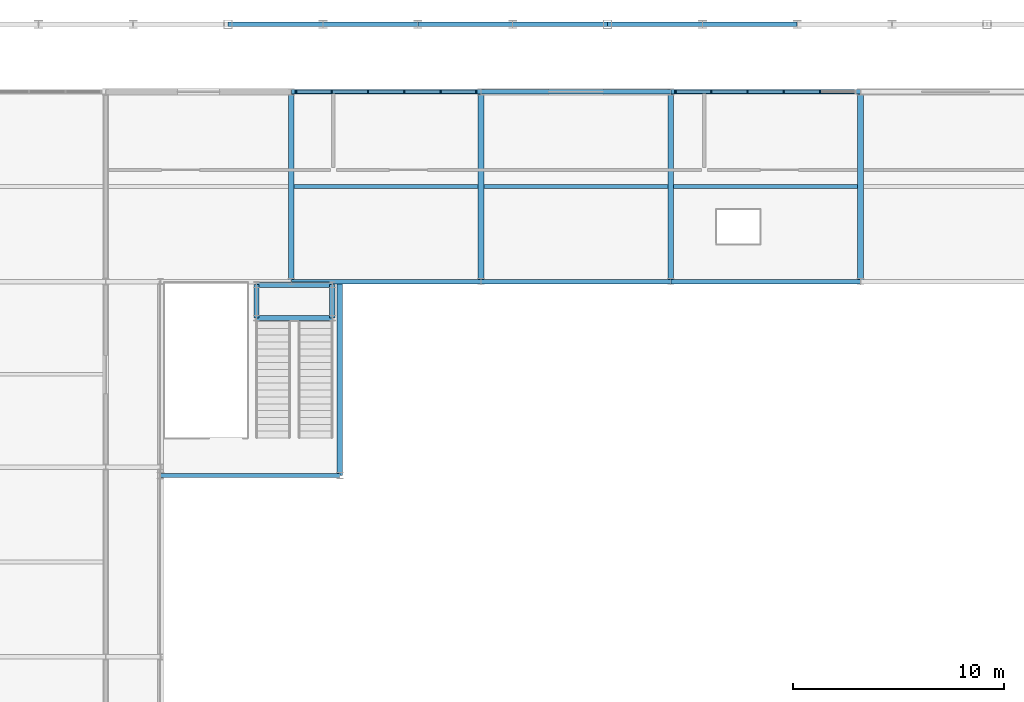
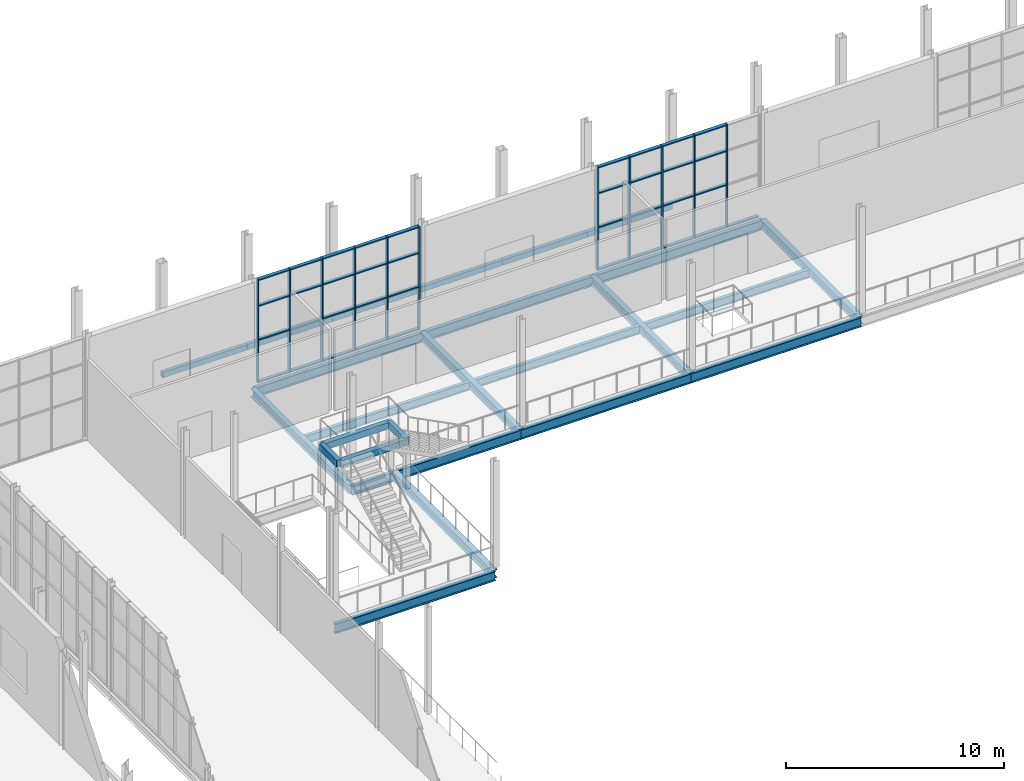
# One storey, part 62 of 159: 48 members, 25 beams, 2 elements without a shape of their own.
"""IFC4 building model written with IfcOpenShell, lengths in metres."""

from ifc_helpers import new_model, si_unit, direction, frame, origin, origin_2d, place, context, subcontext, project, spatial, rectangle, hollow_rectangle, i_section, extrude, material, layer, layer_set, material_profile, profile_set, type_object, element, aggregate, save


model = new_model("IFC4")

# Units and contexts
model_context = context("Model", 3, precision=1e-05, world=origin(), true_north=direction((0.0, 1.0)))
body_context = subcontext(model_context, "Body", "Model", "MODEL_VIEW")
ifc_project = project(units=[si_unit("LENGTHUNIT", "METRE"), si_unit("AREAUNIT", "SQUARE_METRE"), si_unit("VOLUMEUNIT", "CUBIC_METRE"), si_unit("PLANEANGLEUNIT", "RADIAN"), si_unit("MASSUNIT", "GRAM", prefix="KILO")], contexts=[model_context])

# Site, building, storey
site_placement = place(None, origin())
site = spatial("IfcSite", under=ifc_project, at=site_placement, CompositionType="ELEMENT")
building_placement = place(site_placement, origin())
building = spatial("IfcBuilding", under=site, at=building_placement, Name="Cazmaro Siding Exhibition Halls", CompositionType="ELEMENT")
storey_placement = place(building_placement, frame((0.0, 0.0, 6.0)))
storey = spatial("IfcBuildingStorey", under=building, at=storey_placement, Name="L01", CompositionType="ELEMENT", Elevation=6.0)

# Beams
ifc_material_1 = material(Name="Steel ASTM A992 Grade 50", Category="steel")
ifc_material_profile_1 = material_profile(ifc_material_1, i_section(OverallWidth=0.2099609375, OverallDepth=0.535888671875, WebThickness=0.010986328125, FlangeThickness=0.01708984375, at=origin_2d()), Name="W21X68")
ifc_profile_set_1 = profile_set([ifc_material_profile_1], Name="Steel ASTM A992 Grade 50")
beam_type_1 = type_object("IfcBeamType", Name="B-02", PredefinedType="BEAM", material=ifc_profile_set_1)
for number, where, z_axis, x_axis, name in (
    (1, (66.0, 111.800048828125, -0.488037109375), (1.0, 0.0, 0.0), (0.0, 1.0, 0.0), "Beam B-02 BM-0267"),
    (2, (66.0, 120.800048828125, -0.488037109375), (1.0, 0.0, 0.0), (0.0, 1.0, 0.0), "Beam B-02 BM-0268"),
    (3, (75.0, 111.800048828125, -0.488037109375), (1.0, 0.0, 0.0), (0.0, 1.0, 0.0), "Beam B-02 BM-0270"),
    (4, (75.0, 120.800048828125, -0.488037109375), (1.0, 0.0, 0.0), (0.0, 1.0, 0.0), "Beam B-02 BM-0271"),
    (5, (84.0, 111.800048828125, -0.488037109375), (1.0, 0.0, 0.0), (0.0, 1.0, 0.0), "Beam B-02 BM-0273"),
    (6, (84.0, 120.800048828125, -0.488037109375), (1.0, 0.0, 0.0), (0.0, 1.0, 0.0), "Beam B-02 BM-0274"),
):
    element("IfcBeam", number, at=place(storey_placement, frame(where, z_axis=z_axis, x_axis=x_axis)), inside=storey, type_object=beam_type_1, Name=name, PredefinedType="BEAM", context=body_context, shape_type="SweptSolid", body=[
        extrude(i_section(OverallWidth=0.2099609375, OverallDepth=0.535888671875, WebThickness=0.010986328125, FlangeThickness=0.01708984375, at=origin_2d()), origin(), (0.0, 0.0, 1.0), 9.0),
    ])
beam_1_placement = place(storey_placement, frame((59.800048828125, 102.60009765625, -0.488037109375), z_axis=(1.0, 0.0, 0.0), x_axis=(0.0, 1.0, 0.0)))
element("IfcBeam", 7, at=beam_1_placement, inside=storey, type_object=beam_type_1, Name="Beam B-02 BM-2506", PredefinedType="BEAM", context=body_context, shape_type="SweptSolid", body=[
    extrude(i_section(OverallWidth=0.2099609375, OverallDepth=0.535888671875, WebThickness=0.010986328125, FlangeThickness=0.01708984375, at=origin_2d()), origin(), (0.0, 0.0, 1.0), 8.5),
])
ifc_material_2 = material(Name="Steel ASTM A992 Grade 50", Category="steel")
ifc_material_profile_2 = material_profile(ifc_material_2, i_section(OverallWidth=0.279052734375, OverallDepth=0.4619140625, WebThickness=0.010986328125, FlangeThickness=0.01708984375, at=origin_2d()), Name="W18X76")
ifc_profile_set_2 = profile_set([ifc_material_profile_2], Name="Steel ASTM A992 Grade 50")
beam_type_2 = type_object("IfcBeamType", Name="B-03", PredefinedType="BEAM", material=ifc_profile_set_2)
for number, where, z_axis, x_axis, name in (
    (8, (66.0, 111.800048828125, -0.450927734375), (0.0, 1.0, 0.0), (-1.0, 0.0, 0.0), "Beam B-03 BM-0302"),
    (9, (75.0, 111.800048828125, -0.450927734375), (0.0, 1.0, 0.0), (-1.0, 0.0, 0.0), "Beam B-03 BM-0303"),
    (10, (84.0, 111.800048828125, -0.450927734375), (0.0, 1.0, 0.0), (-1.0, 0.0, 0.0), "Beam B-03 BM-0304"),
    (11, (93.0, 111.800048828125, -0.450927734375), (0.0, 1.0, 0.0), (-1.0, 0.0, 0.0), "Beam B-03 BM-0305"),
):
    element("IfcBeam", number, at=place(storey_placement, frame(where, z_axis=z_axis, x_axis=x_axis)), inside=storey, type_object=beam_type_2, Name=name, PredefinedType="BEAM", context=body_context, shape_type="SweptSolid", body=[
        extrude(i_section(OverallWidth=0.279052734375, OverallDepth=0.4619140625, WebThickness=0.010986328125, FlangeThickness=0.01708984375, at=origin_2d()), origin(), (0.0, 0.0, 1.0), 9.0),
    ])
beam_2_placement = place(storey_placement, frame((68.300048828125, 102.60009765625, -0.450927734375), z_axis=(0.0, 1.0, 0.0), x_axis=(-1.0, 0.0, 0.0)))
element("IfcBeam", 12, at=beam_2_placement, inside=storey, type_object=beam_type_2, Name="Beam B-03 BM-2508", PredefinedType="BEAM", context=body_context, shape_type="SweptSolid", body=[
    extrude(i_section(OverallWidth=0.279052734375, OverallDepth=0.4619140625, WebThickness=0.010986328125, FlangeThickness=0.01708984375, at=origin_2d()), origin(), (0.0, 0.0, 1.0), 9.199951171875),
])
ifc_material_3 = material(Name="Steel ASTM A500 Grade C", Category="steel")
ifc_material_profile_3 = material_profile(ifc_material_3, hollow_rectangle(XDim=0.25390625, YDim=0.35595703125, WallThickness=0.014892578125, at=origin_2d()), Name="HSS14X10X5/8")
ifc_profile_set_3 = profile_set([ifc_material_profile_3], Name="Steel ASTM A500 Grade C")
beam_type_3 = type_object("IfcBeamType", Name="B-06", PredefinedType="BEAM", material=ifc_profile_set_3)
for number, where, z_axis, x_axis, name in (
    (13, (64.35009765625, 110.070068359375, 2.6220703125), (1.0, 0.0, 0.0), (0.0, 1.0, 0.0), "Beam B-06 BM-2478"),
    (14, (64.35009765625, 111.64990234375, 2.6220703125), (1.0, 0.0, 0.0), (0.0, 1.0, 0.0), "Beam B-06 BM-2479"),
):
    element("IfcBeam", number, at=place(storey_placement, frame(where, z_axis=z_axis, x_axis=x_axis)), inside=storey, type_object=beam_type_3, Name=name, PredefinedType="BEAM", context=body_context, shape_type="SweptSolid", body=[
        extrude(hollow_rectangle(XDim=0.25390625, YDim=0.35595703125, WallThickness=0.014892578125, at=origin_2d()), origin(), (0.0, 0.0, 1.0), 3.599853515625),
    ])
for number, where, z_axis, x_axis, name in (
    (15, (64.35009765625, 110.070068359375, 2.6220703125), (0.0, 1.0, 0.0), (-1.0, 0.0, 0.0), "Beam B-06 BM-2480"),
    (16, (67.949951171875, 110.070068359375, 2.6220703125), (0.0, 1.0, 0.0), (-1.0, 0.0, 0.0), "Beam B-06 BM-2481"),
):
    element("IfcBeam", number, at=place(storey_placement, frame(where, z_axis=z_axis, x_axis=x_axis)), inside=storey, type_object=beam_type_3, Name=name, PredefinedType="BEAM", context=body_context, shape_type="SweptSolid", body=[
        extrude(hollow_rectangle(XDim=0.25390625, YDim=0.35595703125, WallThickness=0.014892578125, at=origin_2d()), origin(), (0.0, 0.0, 1.0), 1.579833984375),
    ])

# Curtain wall, members
ifc_material_4 = material(Name="Anodized Bronze Aluminum and Solar-Control Low-E Glazing", Category="aluminium")
ifc_layer = layer(ifc_material_4, 0.199951171875)
ifc_layer_set = layer_set([ifc_layer], Name="Anodized Bronze Aluminum and Solar-Control Low-E Glazing")
curtain_wall_type = type_object("IfcCurtainWallType", Name="CWS-02", PredefinedType="USERDEFINED", material=ifc_layer_set)
curtain_wall_1_placement = place(storey_placement, origin())
curtain_wall_1 = element("IfcCurtainWall", 17, at=curtain_wall_1_placement, inside=storey, type_object=curtain_wall_type, Name="Glazed Curtain Wall CWS-02 CW-009", ObjectType="GLAZED CURTAIN WALL", PredefinedType="USERDEFINED")
ifc_material_5 = material(Name="Anodized Bronze Extruded Aluminum", Category="aluminium")
ifc_material_profile_4 = material_profile(ifc_material_5, rectangle(XDim=0.199951171875, YDim=0.06494140625, at=origin_2d()), Name="CWM-02")
ifc_profile_set_4 = profile_set([ifc_material_profile_4], Name="Anodized Bronze Extruded Aluminum")
member_type_1 = type_object("IfcMemberType", Name="CWM-02", PredefinedType="MULLION", material=ifc_profile_set_4)
member_1_placement = place(storey_placement, frame((74.7705078125, 120.800048828125, 0.0), z_axis=(0.0, 0.0, 1.0), x_axis=(0.0, -1.0, 0.0)))
member_1 = element("IfcMember", 18, at=member_1_placement, type_object=member_type_1, Name="CWS-02 mullion 1", PredefinedType="MULLION", context=body_context, shape_type="SweptSolid", body=[
    extrude(rectangle(XDim=0.199951171875, YDim=0.06494140625, at=origin_2d()), origin(), (0.0, 0.0, 1.0), 5.780029296875),
])
member_2_placement = place(storey_placement, frame((73.081787109375, 120.800048828125, 0.0), z_axis=(0.0, 0.0, 1.0), x_axis=(0.0, -1.0, 0.0)))
member_2 = element("IfcMember", 19, at=member_2_placement, type_object=member_type_1, Name="CWS-02 mullion 2", PredefinedType="MULLION", context=body_context, shape_type="SweptSolid", body=[
    extrude(rectangle(XDim=0.199951171875, YDim=0.06494140625, at=origin_2d()), origin(), (0.0, 0.0, 1.0), 5.780029296875),
])
member_3_placement = place(storey_placement, frame((71.360595703125, 120.800048828125, 0.0), z_axis=(0.0, 0.0, 1.0), x_axis=(0.0, -1.0, 0.0)))
member_3 = element("IfcMember", 20, at=member_3_placement, type_object=member_type_1, Name="CWS-02 mullion 3", PredefinedType="MULLION", context=body_context, shape_type="SweptSolid", body=[
    extrude(rectangle(XDim=0.199951171875, YDim=0.06494140625, at=origin_2d()), origin(), (0.0, 0.0, 1.0), 5.780029296875),
])
member_4_placement = place(storey_placement, frame((69.639404296875, 120.800048828125, 0.0), z_axis=(0.0, 0.0, 1.0), x_axis=(0.0, -1.0, 0.0)))
member_4 = element("IfcMember", 21, at=member_4_placement, type_object=member_type_1, Name="CWS-02 mullion 4", PredefinedType="MULLION", context=body_context, shape_type="SweptSolid", body=[
    extrude(rectangle(XDim=0.199951171875, YDim=0.06494140625, at=origin_2d()), origin(), (0.0, 0.0, 1.0), 5.780029296875),
])
member_5_placement = place(storey_placement, frame((67.918212890625, 120.800048828125, 0.0), z_axis=(0.0, 0.0, 1.0), x_axis=(0.0, -1.0, 0.0)))
member_5 = element("IfcMember", 22, at=member_5_placement, type_object=member_type_1, Name="CWS-02 mullion 5", PredefinedType="MULLION", context=body_context, shape_type="SweptSolid", body=[
    extrude(rectangle(XDim=0.199951171875, YDim=0.06494140625, at=origin_2d()), origin(), (0.0, 0.0, 1.0), 5.780029296875),
])
member_6_placement = place(storey_placement, frame((66.2294921875, 120.800048828125, 0.0), z_axis=(0.0, 0.0, 1.0), x_axis=(0.0, -1.0, 0.0)))
member_6 = element("IfcMember", 23, at=member_6_placement, type_object=member_type_1, Name="CWS-02 mullion 6", PredefinedType="MULLION", context=body_context, shape_type="SweptSolid", body=[
    extrude(rectangle(XDim=0.199951171875, YDim=0.06494140625, at=origin_2d()), origin(), (0.0, 0.0, 1.0), 5.780029296875),
])

curtain_wall_2_placement = place(storey_placement, origin())
curtain_wall_2 = element("IfcCurtainWall", 24, at=curtain_wall_2_placement, inside=storey, type_object=curtain_wall_type, Name="Glazed Curtain Wall CWS-02 CW-017", ObjectType="GLAZED CURTAIN WALL", PredefinedType="USERDEFINED")
member_7_placement = place(storey_placement, frame((91.081787109375, 120.800048828125, 0.0), z_axis=(0.0, 0.0, 1.0), x_axis=(0.0, -1.0, 0.0)))
member_7 = element("IfcMember", 25, at=member_7_placement, type_object=member_type_1, Name="CWS-02 mullion 2", PredefinedType="MULLION", context=body_context, shape_type="SweptSolid", body=[
    extrude(rectangle(XDim=0.199951171875, YDim=0.06494140625, at=origin_2d()), origin(), (0.0, 0.0, 1.0), 5.780029296875),
])
member_8_placement = place(storey_placement, frame((89.360595703125, 120.800048828125, 0.0), z_axis=(0.0, 0.0, 1.0), x_axis=(0.0, -1.0, 0.0)))
member_8 = element("IfcMember", 26, at=member_8_placement, type_object=member_type_1, Name="CWS-02 mullion 3", PredefinedType="MULLION", context=body_context, shape_type="SweptSolid", body=[
    extrude(rectangle(XDim=0.199951171875, YDim=0.06494140625, at=origin_2d()), origin(), (0.0, 0.0, 1.0), 5.780029296875),
])
member_9_placement = place(storey_placement, frame((87.639404296875, 120.800048828125, 0.0), z_axis=(0.0, 0.0, 1.0), x_axis=(0.0, -1.0, 0.0)))
member_9 = element("IfcMember", 27, at=member_9_placement, type_object=member_type_1, Name="CWS-02 mullion 4", PredefinedType="MULLION", context=body_context, shape_type="SweptSolid", body=[
    extrude(rectangle(XDim=0.199951171875, YDim=0.06494140625, at=origin_2d()), origin(), (0.0, 0.0, 1.0), 5.780029296875),
])
member_10_placement = place(storey_placement, frame((85.918212890625, 120.800048828125, 0.0), z_axis=(0.0, 0.0, 1.0), x_axis=(0.0, -1.0, 0.0)))
member_10 = element("IfcMember", 28, at=member_10_placement, type_object=member_type_1, Name="CWS-02 mullion 5", PredefinedType="MULLION", context=body_context, shape_type="SweptSolid", body=[
    extrude(rectangle(XDim=0.199951171875, YDim=0.06494140625, at=origin_2d()), origin(), (0.0, 0.0, 1.0), 5.780029296875),
])
member_11_placement = place(storey_placement, frame((84.2294921875, 120.800048828125, 0.0), z_axis=(0.0, 0.0, 1.0), x_axis=(0.0, -1.0, 0.0)))
member_11 = element("IfcMember", 29, at=member_11_placement, type_object=member_type_1, Name="CWS-02 mullion 6", PredefinedType="MULLION", context=body_context, shape_type="SweptSolid", body=[
    extrude(rectangle(XDim=0.199951171875, YDim=0.06494140625, at=origin_2d()), origin(), (0.0, 0.0, 1.0), 5.780029296875),
])

# Member
ifc_material_6 = material(Name="Anodized Bronze Extruded Aluminum", Category="aluminium")
ifc_material_profile_5 = material_profile(ifc_material_6, rectangle(XDim=0.179931640625, YDim=0.06494140625, at=origin_2d()), Name="CWT-02")
ifc_profile_set_5 = profile_set([ifc_material_profile_5], Name="Anodized Bronze Extruded Aluminum")
member_type_2 = type_object("IfcMemberType", Name="CWT-02", PredefinedType="MULLION", material=ifc_profile_set_5)
member_12_placement = place(storey_placement, frame((74.738037109375, 120.800048828125, 0.032470703125), z_axis=(-1.0, 0.0, 0.0), x_axis=(0.0, -1.0, 0.0)))
member_12 = element("IfcMember", 30, at=member_12_placement, type_object=member_type_2, Name="CWS-02 transom 1.1", ObjectType="TRANSOM", PredefinedType="USERDEFINED", context=body_context, shape_type="SweptSolid", body=[
    extrude(rectangle(XDim=0.179931640625, YDim=0.06494140625, at=origin_2d()), origin(), (0.0, 0.0, 1.0), 1.623779296875),
])

member_13_placement = place(storey_placement, frame((74.738037109375, 120.800048828125, 2.39990234375), z_axis=(-1.0, 0.0, 0.0), x_axis=(0.0, -1.0, 0.0)))
member_13 = element("IfcMember", 31, at=member_13_placement, type_object=member_type_2, Name="CWS-02 transom 1.2", ObjectType="TRANSOM", PredefinedType="USERDEFINED", context=body_context, shape_type="SweptSolid", body=[
    extrude(rectangle(XDim=0.179931640625, YDim=0.06494140625, at=origin_2d()), origin(), (0.0, 0.0, 1.0), 1.623779296875),
])

member_14_placement = place(storey_placement, frame((74.738037109375, 120.800048828125, 4.300048828125), z_axis=(-1.0, 0.0, 0.0), x_axis=(0.0, -1.0, 0.0)))
member_14 = element("IfcMember", 32, at=member_14_placement, type_object=member_type_2, Name="CWS-02 transom 1.3", ObjectType="TRANSOM", PredefinedType="USERDEFINED", context=body_context, shape_type="SweptSolid", body=[
    extrude(rectangle(XDim=0.179931640625, YDim=0.06494140625, at=origin_2d()), origin(), (0.0, 0.0, 1.0), 1.623779296875),
])

member_15_placement = place(storey_placement, frame((74.738037109375, 120.800048828125, 5.74755859375), z_axis=(-1.0, 0.0, 0.0), x_axis=(0.0, -1.0, 0.0)))
member_15 = element("IfcMember", 33, at=member_15_placement, type_object=member_type_2, Name="CWS-02 transom 1.4", ObjectType="TRANSOM", PredefinedType="USERDEFINED", context=body_context, shape_type="SweptSolid", body=[
    extrude(rectangle(XDim=0.179931640625, YDim=0.06494140625, at=origin_2d()), origin(), (0.0, 0.0, 1.0), 1.623779296875),
])

member_16_placement = place(storey_placement, frame((73.04931640625, 120.800048828125, 0.032470703125), z_axis=(-1.0, 0.0, 0.0), x_axis=(0.0, -1.0, 0.0)))
member_16 = element("IfcMember", 34, at=member_16_placement, type_object=member_type_2, Name="CWS-02 transom 2.1", ObjectType="TRANSOM", PredefinedType="USERDEFINED", context=body_context, shape_type="SweptSolid", body=[
    extrude(rectangle(XDim=0.179931640625, YDim=0.06494140625, at=origin_2d()), origin(), (0.0, 0.0, 1.0), 1.65625),
])

member_17_placement = place(storey_placement, frame((73.04931640625, 120.800048828125, 2.39990234375), z_axis=(-1.0, 0.0, 0.0), x_axis=(0.0, -1.0, 0.0)))
member_17 = element("IfcMember", 35, at=member_17_placement, type_object=member_type_2, Name="CWS-02 transom 2.2", ObjectType="TRANSOM", PredefinedType="USERDEFINED", context=body_context, shape_type="SweptSolid", body=[
    extrude(rectangle(XDim=0.179931640625, YDim=0.06494140625, at=origin_2d()), origin(), (0.0, 0.0, 1.0), 1.65625),
])

member_18_placement = place(storey_placement, frame((73.04931640625, 120.800048828125, 4.300048828125), z_axis=(-1.0, 0.0, 0.0), x_axis=(0.0, -1.0, 0.0)))
member_18 = element("IfcMember", 36, at=member_18_placement, type_object=member_type_2, Name="CWS-02 transom 2.3", ObjectType="TRANSOM", PredefinedType="USERDEFINED", context=body_context, shape_type="SweptSolid", body=[
    extrude(rectangle(XDim=0.179931640625, YDim=0.06494140625, at=origin_2d()), origin(), (0.0, 0.0, 1.0), 1.65625),
])

member_19_placement = place(storey_placement, frame((73.04931640625, 120.800048828125, 5.74755859375), z_axis=(-1.0, 0.0, 0.0), x_axis=(0.0, -1.0, 0.0)))
member_19 = element("IfcMember", 37, at=member_19_placement, type_object=member_type_2, Name="CWS-02 transom 2.4", ObjectType="TRANSOM", PredefinedType="USERDEFINED", context=body_context, shape_type="SweptSolid", body=[
    extrude(rectangle(XDim=0.179931640625, YDim=0.06494140625, at=origin_2d()), origin(), (0.0, 0.0, 1.0), 1.65625),
])

member_20_placement = place(storey_placement, frame((71.328125, 120.800048828125, 0.032470703125), z_axis=(-1.0, 0.0, 0.0), x_axis=(0.0, -1.0, 0.0)))
member_20 = element("IfcMember", 38, at=member_20_placement, type_object=member_type_2, Name="CWS-02 transom 3.1", ObjectType="TRANSOM", PredefinedType="USERDEFINED", context=body_context, shape_type="SweptSolid", body=[
    extrude(rectangle(XDim=0.179931640625, YDim=0.06494140625, at=origin_2d()), origin(), (0.0, 0.0, 1.0), 1.65625),
])

member_21_placement = place(storey_placement, frame((71.328125, 120.800048828125, 2.39990234375), z_axis=(-1.0, 0.0, 0.0), x_axis=(0.0, -1.0, 0.0)))
member_21 = element("IfcMember", 39, at=member_21_placement, type_object=member_type_2, Name="CWS-02 transom 3.2", ObjectType="TRANSOM", PredefinedType="USERDEFINED", context=body_context, shape_type="SweptSolid", body=[
    extrude(rectangle(XDim=0.179931640625, YDim=0.06494140625, at=origin_2d()), origin(), (0.0, 0.0, 1.0), 1.65625),
])

member_22_placement = place(storey_placement, frame((71.328125, 120.800048828125, 4.300048828125), z_axis=(-1.0, 0.0, 0.0), x_axis=(0.0, -1.0, 0.0)))
member_22 = element("IfcMember", 40, at=member_22_placement, type_object=member_type_2, Name="CWS-02 transom 3.3", ObjectType="TRANSOM", PredefinedType="USERDEFINED", context=body_context, shape_type="SweptSolid", body=[
    extrude(rectangle(XDim=0.179931640625, YDim=0.06494140625, at=origin_2d()), origin(), (0.0, 0.0, 1.0), 1.65625),
])

member_23_placement = place(storey_placement, frame((71.328125, 120.800048828125, 5.74755859375), z_axis=(-1.0, 0.0, 0.0), x_axis=(0.0, -1.0, 0.0)))
member_23 = element("IfcMember", 41, at=member_23_placement, type_object=member_type_2, Name="CWS-02 transom 3.4", ObjectType="TRANSOM", PredefinedType="USERDEFINED", context=body_context, shape_type="SweptSolid", body=[
    extrude(rectangle(XDim=0.179931640625, YDim=0.06494140625, at=origin_2d()), origin(), (0.0, 0.0, 1.0), 1.65625),
])

member_24_placement = place(storey_placement, frame((69.60693359375, 120.800048828125, 0.032470703125), z_axis=(-1.0, 0.0, 0.0), x_axis=(0.0, -1.0, 0.0)))
member_24 = element("IfcMember", 42, at=member_24_placement, type_object=member_type_2, Name="CWS-02 transom 4.1", ObjectType="TRANSOM", PredefinedType="USERDEFINED", context=body_context, shape_type="SweptSolid", body=[
    extrude(rectangle(XDim=0.179931640625, YDim=0.06494140625, at=origin_2d()), origin(), (0.0, 0.0, 1.0), 1.65625),
])

member_25_placement = place(storey_placement, frame((69.60693359375, 120.800048828125, 2.39990234375), z_axis=(-1.0, 0.0, 0.0), x_axis=(0.0, -1.0, 0.0)))
member_25 = element("IfcMember", 43, at=member_25_placement, type_object=member_type_2, Name="CWS-02 transom 4.2", ObjectType="TRANSOM", PredefinedType="USERDEFINED", context=body_context, shape_type="SweptSolid", body=[
    extrude(rectangle(XDim=0.179931640625, YDim=0.06494140625, at=origin_2d()), origin(), (0.0, 0.0, 1.0), 1.65625),
])

member_26_placement = place(storey_placement, frame((69.60693359375, 120.800048828125, 4.300048828125), z_axis=(-1.0, 0.0, 0.0), x_axis=(0.0, -1.0, 0.0)))
member_26 = element("IfcMember", 44, at=member_26_placement, type_object=member_type_2, Name="CWS-02 transom 4.3", ObjectType="TRANSOM", PredefinedType="USERDEFINED", context=body_context, shape_type="SweptSolid", body=[
    extrude(rectangle(XDim=0.179931640625, YDim=0.06494140625, at=origin_2d()), origin(), (0.0, 0.0, 1.0), 1.65625),
])

member_27_placement = place(storey_placement, frame((69.60693359375, 120.800048828125, 5.74755859375), z_axis=(-1.0, 0.0, 0.0), x_axis=(0.0, -1.0, 0.0)))
member_27 = element("IfcMember", 45, at=member_27_placement, type_object=member_type_2, Name="CWS-02 transom 4.4", ObjectType="TRANSOM", PredefinedType="USERDEFINED", context=body_context, shape_type="SweptSolid", body=[
    extrude(rectangle(XDim=0.179931640625, YDim=0.06494140625, at=origin_2d()), origin(), (0.0, 0.0, 1.0), 1.65625),
])

member_28_placement = place(storey_placement, frame((67.8857421875, 120.800048828125, 0.032470703125), z_axis=(-1.0, 0.0, 0.0), x_axis=(0.0, -1.0, 0.0)))
member_28 = element("IfcMember", 46, at=member_28_placement, type_object=member_type_2, Name="CWS-02 transom 5.1", ObjectType="TRANSOM", PredefinedType="USERDEFINED", context=body_context, shape_type="SweptSolid", body=[
    extrude(rectangle(XDim=0.179931640625, YDim=0.06494140625, at=origin_2d()), origin(), (0.0, 0.0, 1.0), 1.623779296875),
])

member_29_placement = place(storey_placement, frame((67.8857421875, 120.800048828125, 2.39990234375), z_axis=(-1.0, 0.0, 0.0), x_axis=(0.0, -1.0, 0.0)))
member_29 = element("IfcMember", 47, at=member_29_placement, type_object=member_type_2, Name="CWS-02 transom 5.2", ObjectType="TRANSOM", PredefinedType="USERDEFINED", context=body_context, shape_type="SweptSolid", body=[
    extrude(rectangle(XDim=0.179931640625, YDim=0.06494140625, at=origin_2d()), origin(), (0.0, 0.0, 1.0), 1.623779296875),
])

member_30_placement = place(storey_placement, frame((67.8857421875, 120.800048828125, 4.300048828125), z_axis=(-1.0, 0.0, 0.0), x_axis=(0.0, -1.0, 0.0)))
member_30 = element("IfcMember", 48, at=member_30_placement, type_object=member_type_2, Name="CWS-02 transom 5.3", ObjectType="TRANSOM", PredefinedType="USERDEFINED", context=body_context, shape_type="SweptSolid", body=[
    extrude(rectangle(XDim=0.179931640625, YDim=0.06494140625, at=origin_2d()), origin(), (0.0, 0.0, 1.0), 1.623779296875),
])

member_31_placement = place(storey_placement, frame((67.8857421875, 120.800048828125, 5.74755859375), z_axis=(-1.0, 0.0, 0.0), x_axis=(0.0, -1.0, 0.0)))
member_31 = element("IfcMember", 49, at=member_31_placement, type_object=member_type_2, Name="CWS-02 transom 5.4", ObjectType="TRANSOM", PredefinedType="USERDEFINED", context=body_context, shape_type="SweptSolid", body=[
    extrude(rectangle(XDim=0.179931640625, YDim=0.06494140625, at=origin_2d()), origin(), (0.0, 0.0, 1.0), 1.623779296875),
])

aggregate(curtain_wall_1, [member_1, member_2, member_3, member_4, member_5, member_6, member_12, member_13, member_14, member_15, member_16, member_17, member_18, member_19, member_20, member_21, member_22, member_23, member_24, member_25, member_26, member_27, member_28, member_29, member_30, member_31])

member_32_placement = place(storey_placement, frame((92.738037109375, 120.800048828125, 0.032470703125), z_axis=(-1.0, 0.0, 0.0), x_axis=(0.0, -1.0, 0.0)))
member_32 = element("IfcMember", 50, at=member_32_placement, type_object=member_type_2, Name="CWS-02 transom 1.1", ObjectType="TRANSOM", PredefinedType="USERDEFINED", context=body_context, shape_type="SweptSolid", body=[
    extrude(rectangle(XDim=0.179931640625, YDim=0.06494140625, at=origin_2d()), origin(), (0.0, 0.0, 1.0), 1.623779296875),
])

member_33_placement = place(storey_placement, frame((91.04931640625, 120.800048828125, 0.032470703125), z_axis=(-1.0, 0.0, 0.0), x_axis=(0.0, -1.0, 0.0)))
member_33 = element("IfcMember", 51, at=member_33_placement, type_object=member_type_2, Name="CWS-02 transom 2.1", ObjectType="TRANSOM", PredefinedType="USERDEFINED", context=body_context, shape_type="SweptSolid", body=[
    extrude(rectangle(XDim=0.179931640625, YDim=0.06494140625, at=origin_2d()), origin(), (0.0, 0.0, 1.0), 1.65625),
])

member_34_placement = place(storey_placement, frame((91.04931640625, 120.800048828125, 2.39990234375), z_axis=(-1.0, 0.0, 0.0), x_axis=(0.0, -1.0, 0.0)))
member_34 = element("IfcMember", 52, at=member_34_placement, type_object=member_type_2, Name="CWS-02 transom 2.2", ObjectType="TRANSOM", PredefinedType="USERDEFINED", context=body_context, shape_type="SweptSolid", body=[
    extrude(rectangle(XDim=0.179931640625, YDim=0.06494140625, at=origin_2d()), origin(), (0.0, 0.0, 1.0), 1.65625),
])

member_35_placement = place(storey_placement, frame((91.04931640625, 120.800048828125, 4.300048828125), z_axis=(-1.0, 0.0, 0.0), x_axis=(0.0, -1.0, 0.0)))
member_35 = element("IfcMember", 53, at=member_35_placement, type_object=member_type_2, Name="CWS-02 transom 2.3", ObjectType="TRANSOM", PredefinedType="USERDEFINED", context=body_context, shape_type="SweptSolid", body=[
    extrude(rectangle(XDim=0.179931640625, YDim=0.06494140625, at=origin_2d()), origin(), (0.0, 0.0, 1.0), 1.65625),
])

member_36_placement = place(storey_placement, frame((91.04931640625, 120.800048828125, 5.74755859375), z_axis=(-1.0, 0.0, 0.0), x_axis=(0.0, -1.0, 0.0)))
member_36 = element("IfcMember", 54, at=member_36_placement, type_object=member_type_2, Name="CWS-02 transom 2.4", ObjectType="TRANSOM", PredefinedType="USERDEFINED", context=body_context, shape_type="SweptSolid", body=[
    extrude(rectangle(XDim=0.179931640625, YDim=0.06494140625, at=origin_2d()), origin(), (0.0, 0.0, 1.0), 1.65625),
])

member_37_placement = place(storey_placement, frame((89.328125, 120.800048828125, 0.032470703125), z_axis=(-1.0, 0.0, 0.0), x_axis=(0.0, -1.0, 0.0)))
member_37 = element("IfcMember", 55, at=member_37_placement, type_object=member_type_2, Name="CWS-02 transom 3.1", ObjectType="TRANSOM", PredefinedType="USERDEFINED", context=body_context, shape_type="SweptSolid", body=[
    extrude(rectangle(XDim=0.179931640625, YDim=0.06494140625, at=origin_2d()), origin(), (0.0, 0.0, 1.0), 1.65625),
])

member_38_placement = place(storey_placement, frame((89.328125, 120.800048828125, 2.39990234375), z_axis=(-1.0, 0.0, 0.0), x_axis=(0.0, -1.0, 0.0)))
member_38 = element("IfcMember", 56, at=member_38_placement, type_object=member_type_2, Name="CWS-02 transom 3.2", ObjectType="TRANSOM", PredefinedType="USERDEFINED", context=body_context, shape_type="SweptSolid", body=[
    extrude(rectangle(XDim=0.179931640625, YDim=0.06494140625, at=origin_2d()), origin(), (0.0, 0.0, 1.0), 1.65625),
])

member_39_placement = place(storey_placement, frame((89.328125, 120.800048828125, 4.300048828125), z_axis=(-1.0, 0.0, 0.0), x_axis=(0.0, -1.0, 0.0)))
member_39 = element("IfcMember", 57, at=member_39_placement, type_object=member_type_2, Name="CWS-02 transom 3.3", ObjectType="TRANSOM", PredefinedType="USERDEFINED", context=body_context, shape_type="SweptSolid", body=[
    extrude(rectangle(XDim=0.179931640625, YDim=0.06494140625, at=origin_2d()), origin(), (0.0, 0.0, 1.0), 1.65625),
])

member_40_placement = place(storey_placement, frame((89.328125, 120.800048828125, 5.74755859375), z_axis=(-1.0, 0.0, 0.0), x_axis=(0.0, -1.0, 0.0)))
member_40 = element("IfcMember", 58, at=member_40_placement, type_object=member_type_2, Name="CWS-02 transom 3.4", ObjectType="TRANSOM", PredefinedType="USERDEFINED", context=body_context, shape_type="SweptSolid", body=[
    extrude(rectangle(XDim=0.179931640625, YDim=0.06494140625, at=origin_2d()), origin(), (0.0, 0.0, 1.0), 1.65625),
])

member_41_placement = place(storey_placement, frame((87.60693359375, 120.800048828125, 0.032470703125), z_axis=(-1.0, 0.0, 0.0), x_axis=(0.0, -1.0, 0.0)))
member_41 = element("IfcMember", 59, at=member_41_placement, type_object=member_type_2, Name="CWS-02 transom 4.1", ObjectType="TRANSOM", PredefinedType="USERDEFINED", context=body_context, shape_type="SweptSolid", body=[
    extrude(rectangle(XDim=0.179931640625, YDim=0.06494140625, at=origin_2d()), origin(), (0.0, 0.0, 1.0), 1.65625),
])

member_42_placement = place(storey_placement, frame((87.60693359375, 120.800048828125, 2.39990234375), z_axis=(-1.0, 0.0, 0.0), x_axis=(0.0, -1.0, 0.0)))
member_42 = element("IfcMember", 60, at=member_42_placement, type_object=member_type_2, Name="CWS-02 transom 4.2", ObjectType="TRANSOM", PredefinedType="USERDEFINED", context=body_context, shape_type="SweptSolid", body=[
    extrude(rectangle(XDim=0.179931640625, YDim=0.06494140625, at=origin_2d()), origin(), (0.0, 0.0, 1.0), 1.65625),
])

member_43_placement = place(storey_placement, frame((87.60693359375, 120.800048828125, 4.300048828125), z_axis=(-1.0, 0.0, 0.0), x_axis=(0.0, -1.0, 0.0)))
member_43 = element("IfcMember", 61, at=member_43_placement, type_object=member_type_2, Name="CWS-02 transom 4.3", ObjectType="TRANSOM", PredefinedType="USERDEFINED", context=body_context, shape_type="SweptSolid", body=[
    extrude(rectangle(XDim=0.179931640625, YDim=0.06494140625, at=origin_2d()), origin(), (0.0, 0.0, 1.0), 1.65625),
])

member_44_placement = place(storey_placement, frame((87.60693359375, 120.800048828125, 5.74755859375), z_axis=(-1.0, 0.0, 0.0), x_axis=(0.0, -1.0, 0.0)))
member_44 = element("IfcMember", 62, at=member_44_placement, type_object=member_type_2, Name="CWS-02 transom 4.4", ObjectType="TRANSOM", PredefinedType="USERDEFINED", context=body_context, shape_type="SweptSolid", body=[
    extrude(rectangle(XDim=0.179931640625, YDim=0.06494140625, at=origin_2d()), origin(), (0.0, 0.0, 1.0), 1.65625),
])

member_45_placement = place(storey_placement, frame((85.8857421875, 120.800048828125, 0.032470703125), z_axis=(-1.0, 0.0, 0.0), x_axis=(0.0, -1.0, 0.0)))
member_45 = element("IfcMember", 63, at=member_45_placement, type_object=member_type_2, Name="CWS-02 transom 5.1", ObjectType="TRANSOM", PredefinedType="USERDEFINED", context=body_context, shape_type="SweptSolid", body=[
    extrude(rectangle(XDim=0.179931640625, YDim=0.06494140625, at=origin_2d()), origin(), (0.0, 0.0, 1.0), 1.623779296875),
])

member_46_placement = place(storey_placement, frame((85.8857421875, 120.800048828125, 2.39990234375), z_axis=(-1.0, 0.0, 0.0), x_axis=(0.0, -1.0, 0.0)))
member_46 = element("IfcMember", 64, at=member_46_placement, type_object=member_type_2, Name="CWS-02 transom 5.2", ObjectType="TRANSOM", PredefinedType="USERDEFINED", context=body_context, shape_type="SweptSolid", body=[
    extrude(rectangle(XDim=0.179931640625, YDim=0.06494140625, at=origin_2d()), origin(), (0.0, 0.0, 1.0), 1.623779296875),
])

member_47_placement = place(storey_placement, frame((85.8857421875, 120.800048828125, 4.300048828125), z_axis=(-1.0, 0.0, 0.0), x_axis=(0.0, -1.0, 0.0)))
member_47 = element("IfcMember", 65, at=member_47_placement, type_object=member_type_2, Name="CWS-02 transom 5.3", ObjectType="TRANSOM", PredefinedType="USERDEFINED", context=body_context, shape_type="SweptSolid", body=[
    extrude(rectangle(XDim=0.179931640625, YDim=0.06494140625, at=origin_2d()), origin(), (0.0, 0.0, 1.0), 1.623779296875),
])

member_48_placement = place(storey_placement, frame((85.8857421875, 120.800048828125, 5.74755859375), z_axis=(-1.0, 0.0, 0.0), x_axis=(0.0, -1.0, 0.0)))
member_48 = element("IfcMember", 66, at=member_48_placement, type_object=member_type_2, Name="CWS-02 transom 5.4", ObjectType="TRANSOM", PredefinedType="USERDEFINED", context=body_context, shape_type="SweptSolid", body=[
    extrude(rectangle(XDim=0.179931640625, YDim=0.06494140625, at=origin_2d()), origin(), (0.0, 0.0, 1.0), 1.623779296875),
])

aggregate(curtain_wall_2, [member_7, member_8, member_9, member_10, member_11, member_32, member_33, member_34, member_35, member_36, member_37, member_38, member_39, member_40, member_41, member_42, member_43, member_44, member_45, member_46, member_47, member_48])

# Beams
ifc_material_7 = material(Name="Steel ASTM A992 Grade 50", Category="steel")
ifc_material_profile_6 = material_profile(ifc_material_7, i_section(OverallWidth=0.19091796875, OverallDepth=0.45703125, WebThickness=0.009033203125, FlangeThickness=0.013916015625, at=origin_2d()), Name="W18X50")
ifc_profile_set_6 = profile_set([ifc_material_profile_6], Name="Steel ASTM A992 Grade 50")
beam_type_4 = type_object("IfcBeamType", Name="J-01", PredefinedType="JOIST", material=ifc_profile_set_6)
for number, where, z_axis, x_axis, name in (
    (67, (66.139892578125, 116.300048828125, -0.448974609375), (1.0, 0.0, 0.0), (0.0, 1.0, 0.0), "Beam J-01 BM-0269"),
    (68, (75.139892578125, 116.300048828125, -0.448974609375), (1.0, 0.0, 0.0), (0.0, 1.0, 0.0), "Beam J-01 BM-0272"),
    (69, (84.139892578125, 116.300048828125, -0.448974609375), (1.0, 0.0, 0.0), (0.0, 1.0, 0.0), "Beam J-01 BM-0275"),
):
    element("IfcBeam", number, at=place(storey_placement, frame(where, z_axis=z_axis, x_axis=x_axis)), inside=storey, type_object=beam_type_4, Name=name, PredefinedType="JOIST", context=body_context, shape_type="SweptSolid", body=[
        extrude(i_section(OverallWidth=0.19091796875, OverallDepth=0.45703125, WebThickness=0.009033203125, FlangeThickness=0.013916015625, at=origin_2d()), origin(), (0.0, 0.0, 1.0), 8.72021484375),
    ])
ifc_material_8 = material(Name="Steel ASTM A500 Grade C", Category="steel")
ifc_material_profile_7 = material_profile(ifc_material_8, hollow_rectangle(XDim=0.202880859375, YDim=0.304931640625, WallThickness=0.011962890625, at=origin_2d()), Name="HSS12X8X1/2")
ifc_profile_set_7 = profile_set([ifc_material_profile_7], Name="Steel ASTM A500 Grade C")
beam_type_5 = type_object("IfcBeamType", Name="SP-01", PredefinedType="SPANDREL", material=ifc_profile_set_7)
for number, where, z_axis, x_axis, name in (
    (70, (63.0, 124.0, -0.3720703125), (1.0, 0.0, 0.0), (0.0, 1.0, 0.0), "Beam SP-01 BM-0088"),
    (71, (67.5, 124.0, -0.3720703125), (1.0, 0.0, 0.0), (0.0, 1.0, 0.0), "Beam SP-01 BM-0094"),
    (72, (72.0, 124.0, -0.3720703125), (1.0, 0.0, 0.0), (0.0, 1.0, 0.0), "Beam SP-01 BM-0100"),
    (73, (76.5, 124.0, -0.3720703125), (1.0, 0.0, 0.0), (0.0, 1.0, 0.0), "Beam SP-01 BM-0106"),
    (74, (81.0, 124.0, -0.3720703125), (1.0, 0.0, 0.0), (0.0, 1.0, 0.0), "Beam SP-01 BM-0112"),
    (75, (85.5, 124.0, -0.3720703125), (1.0, 0.0, 0.0), (0.0, 1.0, 0.0), "Beam SP-01 BM-0118"),
):
    element("IfcBeam", number, at=place(storey_placement, frame(where, z_axis=z_axis, x_axis=x_axis)), inside=storey, type_object=beam_type_5, Name=name, PredefinedType="SPANDREL", context=body_context, shape_type="SweptSolid", body=[
        extrude(hollow_rectangle(XDim=0.202880859375, YDim=0.304931640625, WallThickness=0.011962890625, at=origin_2d()), origin(), (0.0, 0.0, 1.0), 4.5),
    ])

save(model, "model.ifc")
